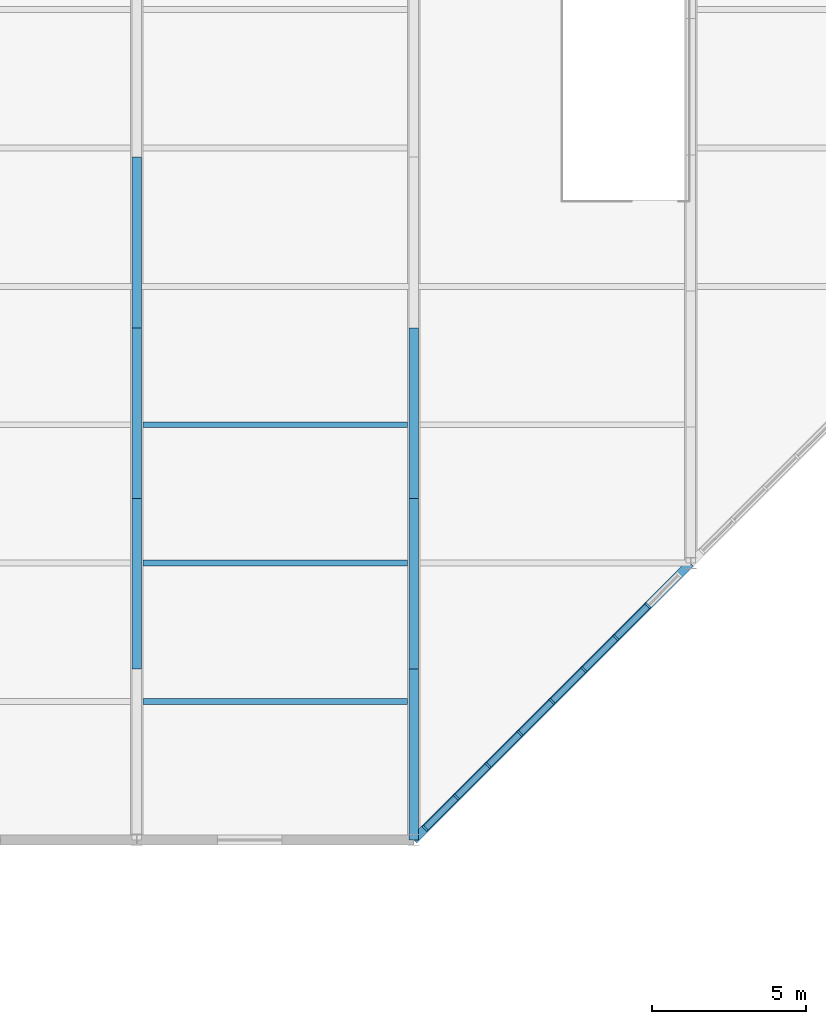
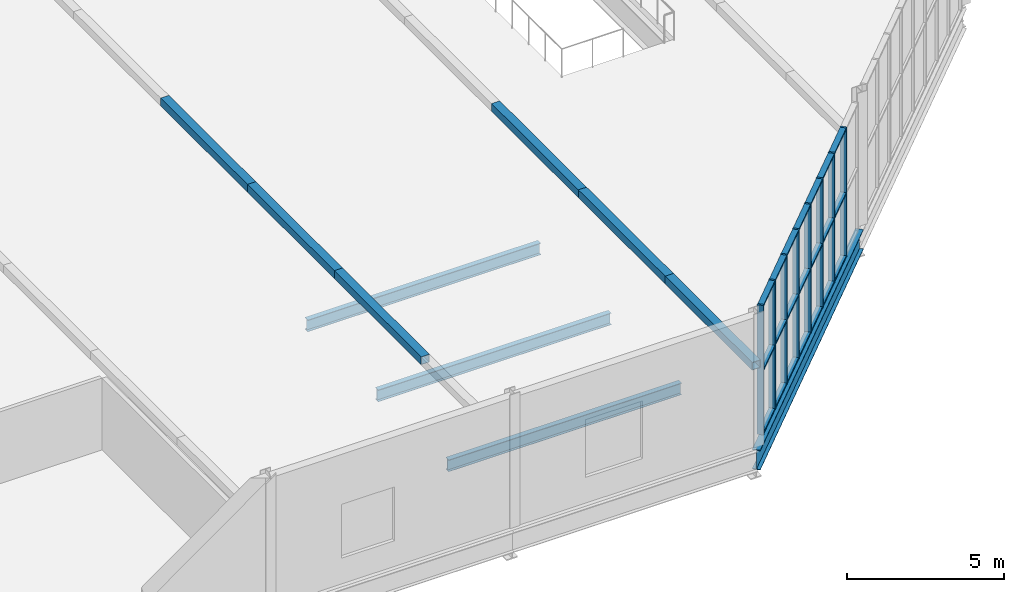
# One storey, part 24 of 134: 35 members, 4 beams, 1 element without a shape of its own.
"""IFC4 building model written with IfcOpenShell, lengths in metres."""

from ifc_helpers import new_model, si_unit, direction, frame, origin, origin_2d, place, context, subcontext, project, spatial, rectangle, hollow_rectangle, i_section, extrude, material, layer, layer_set, material_profile, profile_set, type_object, element, aggregate, save


model = new_model("IFC4")

# Units and contexts
model_context = context("Model", 3, precision=1e-05, world=origin(), true_north=direction((0.0, 1.0)))
body_context = subcontext(model_context, "Body", "Model", "MODEL_VIEW")
ifc_project = project(units=[si_unit("LENGTHUNIT", "METRE"), si_unit("AREAUNIT", "SQUARE_METRE"), si_unit("VOLUMEUNIT", "CUBIC_METRE"), si_unit("PLANEANGLEUNIT", "RADIAN"), si_unit("MASSUNIT", "GRAM", prefix="KILO")], contexts=[model_context])

# Site, building, storey
site_placement = place(None, origin())
site = spatial("IfcSite", under=ifc_project, at=site_placement, CompositionType="ELEMENT")
building_placement = place(site_placement, origin())
building = spatial("IfcBuilding", under=site, at=building_placement, Name="Cazmaro Siding Exhibition Halls", CompositionType="ELEMENT")
storey_placement = place(building_placement, frame((0.0, 0.0, 12.0)))
storey = spatial("IfcBuildingStorey", under=building, at=storey_placement, Name="L02", CompositionType="ELEMENT", Elevation=12.0)

# Beam
ifc_material_1 = material(Name="Steel ASTM A992 Grade 50", Category="steel")
ifc_material_profile_1 = material_profile(ifc_material_1, i_section(OverallWidth=0.26708984375, OverallDepth=0.779052734375, WebThickness=0.01708984375, FlangeThickness=0.02490234375, at=origin_2d()), Name="W30X148")
ifc_profile_set_1 = profile_set([ifc_material_profile_1], Name="Steel ASTM A992 Grade 50")
beam_type_1 = type_object("IfcBeamType", Name="B-05", PredefinedType="BEAM", material=ifc_profile_set_1)
beam_placement = place(storey_placement, frame((45.0, 9.0, -0.638916015625), z_axis=(0.707106781187, 0.707106781187, 0.0), x_axis=(-0.707106781187, 0.707106781187, 0.0)))
element("IfcBeam", 1, at=beam_placement, inside=storey, type_object=beam_type_1, Name="Beam B-05 BM-1738", PredefinedType="BEAM", context=body_context, shape_type="SweptSolid", body=[
    extrude(i_section(OverallWidth=0.26708984375, OverallDepth=0.779052734375, WebThickness=0.01708984375, FlangeThickness=0.02490234375, at=origin_2d()), origin(), (0.0, 0.0, 1.0), 12.72802734375),
])

# Curtain wall, members
ifc_material_2 = material(Name="Anodized Bronze Aluminum and Solar-Control Low-E Glazing", Category="aluminium")
ifc_layer = layer(ifc_material_2, 0.219970703125)
ifc_layer_set = layer_set([ifc_layer], Name="Anodized Bronze Aluminum and Solar-Control Low-E Glazing")
curtain_wall_type = type_object("IfcCurtainWallType", Name="CWS-03", PredefinedType="USERDEFINED", material=ifc_layer_set)
curtain_wall_placement = place(storey_placement, origin())
curtain_wall = element("IfcCurtainWall", 2, at=curtain_wall_placement, inside=storey, type_object=curtain_wall_type, Name="Glazed Curtain Wall CWS-03 CW-213", ObjectType="GLAZED CURTAIN WALL", PredefinedType="USERDEFINED")
ifc_material_3 = material(Name="Anodized Bronze Extruded Aluminum", Category="aluminium")
ifc_material_profile_2 = material_profile(ifc_material_3, rectangle(XDim=0.219970703125, YDim=0.070068359375, at=origin_2d()), Name="CWM-03")
ifc_profile_set_2 = profile_set([ifc_material_profile_2], Name="Anodized Bronze Extruded Aluminum")
member_type_1 = type_object("IfcMemberType", Name="CWM-03", PredefinedType="MULLION", material=ifc_profile_set_2)
member_1_placement = place(storey_placement, frame((45.374755859375, 9.374755859375, 0.0), z_axis=(0.0, 0.0, 1.0), x_axis=(-0.707106781187, 0.707106781187, 0.0)))
member_1 = element("IfcMember", 3, at=member_1_placement, type_object=member_type_1, Name="CWS-03 mullion 1", PredefinedType="MULLION", context=body_context, shape_type="SweptSolid", body=[
    extrude(rectangle(XDim=0.219970703125, YDim=0.070068359375, at=origin_2d()), origin(), (0.0, 0.0, 1.0), 5.050048828125),
])
member_2_placement = place(storey_placement, frame((46.387451171875, 10.387451171875, 0.0), z_axis=(0.0, 0.0, 1.0), x_axis=(-0.707106781187, 0.707106781187, 0.0)))
member_2 = element("IfcMember", 4, at=member_2_placement, type_object=member_type_1, Name="CWS-03 mullion 2", PredefinedType="MULLION", context=body_context, shape_type="SweptSolid", body=[
    extrude(rectangle(XDim=0.219970703125, YDim=0.070068359375, at=origin_2d()), origin(), (0.0, 0.0, 1.0), 5.050048828125),
])
member_3_placement = place(storey_placement, frame((47.425048828125, 11.425048828125, 0.0), z_axis=(0.0, 0.0, 1.0), x_axis=(-0.707106781187, 0.707106781187, 0.0)))
member_3 = element("IfcMember", 5, at=member_3_placement, type_object=member_type_1, Name="CWS-03 mullion 3", PredefinedType="MULLION", context=body_context, shape_type="SweptSolid", body=[
    extrude(rectangle(XDim=0.219970703125, YDim=0.070068359375, at=origin_2d()), origin(), (0.0, 0.0, 1.0), 5.050048828125),
])
member_4_placement = place(storey_placement, frame((48.46240234375, 12.46240234375, 0.0), z_axis=(0.0, 0.0, 1.0), x_axis=(-0.707106781187, 0.707106781187, 0.0)))
member_4 = element("IfcMember", 6, at=member_4_placement, type_object=member_type_1, Name="CWS-03 mullion 4", PredefinedType="MULLION", context=body_context, shape_type="SweptSolid", body=[
    extrude(rectangle(XDim=0.219970703125, YDim=0.070068359375, at=origin_2d()), origin(), (0.0, 0.0, 1.0), 5.050048828125),
])
member_5_placement = place(storey_placement, frame((49.5, 13.5, 0.0), z_axis=(0.0, 0.0, 1.0), x_axis=(-0.707106781187, 0.707106781187, 0.0)))
member_5 = element("IfcMember", 7, at=member_5_placement, type_object=member_type_1, Name="CWS-03 mullion 5", PredefinedType="MULLION", context=body_context, shape_type="SweptSolid", body=[
    extrude(rectangle(XDim=0.219970703125, YDim=0.070068359375, at=origin_2d()), origin(), (0.0, 0.0, 1.0), 5.050048828125),
])
member_6_placement = place(storey_placement, frame((50.53759765625, 14.53759765625, 0.0), z_axis=(0.0, 0.0, 1.0), x_axis=(-0.707106781187, 0.707106781187, 0.0)))
member_6 = element("IfcMember", 8, at=member_6_placement, type_object=member_type_1, Name="CWS-03 mullion 6", PredefinedType="MULLION", context=body_context, shape_type="SweptSolid", body=[
    extrude(rectangle(XDim=0.219970703125, YDim=0.070068359375, at=origin_2d()), origin(), (0.0, 0.0, 1.0), 5.050048828125),
])
member_7_placement = place(storey_placement, frame((51.574951171875, 15.574951171875, 0.0), z_axis=(0.0, 0.0, 1.0), x_axis=(-0.707106781187, 0.707106781187, 0.0)))
member_7 = element("IfcMember", 9, at=member_7_placement, type_object=member_type_1, Name="CWS-03 mullion 7", PredefinedType="MULLION", context=body_context, shape_type="SweptSolid", body=[
    extrude(rectangle(XDim=0.219970703125, YDim=0.070068359375, at=origin_2d()), origin(), (0.0, 0.0, 1.0), 5.050048828125),
])
member_8_placement = place(storey_placement, frame((52.612548828125, 16.612548828125, 0.0), z_axis=(0.0, 0.0, 1.0), x_axis=(-0.707106781187, 0.707106781187, 0.0)))
member_8 = element("IfcMember", 10, at=member_8_placement, type_object=member_type_1, Name="CWS-03 mullion 8", PredefinedType="MULLION", context=body_context, shape_type="SweptSolid", body=[
    extrude(rectangle(XDim=0.219970703125, YDim=0.070068359375, at=origin_2d()), origin(), (0.0, 0.0, 1.0), 5.050048828125),
])
ifc_material_4 = material(Name="Anodized Bronze Extruded Aluminum", Category="aluminium")
ifc_material_profile_3 = material_profile(ifc_material_4, rectangle(XDim=0.199951171875, YDim=0.070068359375, at=origin_2d()), Name="CWT-03")
ifc_profile_set_3 = profile_set([ifc_material_profile_3], Name="Anodized Bronze Extruded Aluminum")
member_type_2 = type_object("IfcMemberType", Name="CWT-03", PredefinedType="MULLION", material=ifc_profile_set_3)
member_9_placement = place(storey_placement, frame((45.3994140625, 9.3994140625, 0.034912109375), z_axis=(0.707106781187, 0.707106781187, 0.0), x_axis=(-0.707106781187, 0.707106781187, 0.0)))
member_9 = element("IfcMember", 11, at=member_9_placement, type_object=member_type_2, Name="CWS-03 transom 1.1", ObjectType="TRANSOM", PredefinedType="USERDEFINED", context=body_context, shape_type="SweptSolid", body=[
    extrude(rectangle(XDim=0.199951171875, YDim=0.070068359375, at=origin_2d()), origin(), (0.0, 0.0, 1.0), 1.3623046875),
])
member_10_placement = place(storey_placement, frame((45.3994140625, 9.3994140625, 2.5), z_axis=(0.707106781187, 0.707106781187, 0.0), x_axis=(-0.707106781187, 0.707106781187, 0.0)))
member_10 = element("IfcMember", 12, at=member_10_placement, type_object=member_type_2, Name="CWS-03 transom 1.2", ObjectType="TRANSOM", PredefinedType="USERDEFINED", context=body_context, shape_type="SweptSolid", body=[
    extrude(rectangle(XDim=0.199951171875, YDim=0.070068359375, at=origin_2d()), origin(), (0.0, 0.0, 1.0), 1.3623046875),
])
member_11_placement = place(storey_placement, frame((45.3994140625, 9.3994140625, 5.014892578125), z_axis=(0.707106781187, 0.707106781187, 0.0), x_axis=(-0.707106781187, 0.707106781187, 0.0)))
member_11 = element("IfcMember", 13, at=member_11_placement, type_object=member_type_2, Name="CWS-03 transom 1.3", ObjectType="TRANSOM", PredefinedType="USERDEFINED", context=body_context, shape_type="SweptSolid", body=[
    extrude(rectangle(XDim=0.199951171875, YDim=0.070068359375, at=origin_2d()), origin(), (0.0, 0.0, 1.0), 1.3623046875),
])
member_12_placement = place(storey_placement, frame((46.412353515625, 10.412353515625, 0.034912109375), z_axis=(0.707106781187, 0.707106781187, 0.0), x_axis=(-0.707106781187, 0.707106781187, 0.0)))
member_12 = element("IfcMember", 14, at=member_12_placement, type_object=member_type_2, Name="CWS-03 transom 2.1", ObjectType="TRANSOM", PredefinedType="USERDEFINED", context=body_context, shape_type="SweptSolid", body=[
    extrude(rectangle(XDim=0.199951171875, YDim=0.070068359375, at=origin_2d()), origin(), (0.0, 0.0, 1.0), 1.39697265625),
])
member_13_placement = place(storey_placement, frame((46.412353515625, 10.412353515625, 2.5), z_axis=(0.707106781187, 0.707106781187, 0.0), x_axis=(-0.707106781187, 0.707106781187, 0.0)))
member_13 = element("IfcMember", 15, at=member_13_placement, type_object=member_type_2, Name="CWS-03 transom 2.2", ObjectType="TRANSOM", PredefinedType="USERDEFINED", context=body_context, shape_type="SweptSolid", body=[
    extrude(rectangle(XDim=0.199951171875, YDim=0.070068359375, at=origin_2d()), origin(), (0.0, 0.0, 1.0), 1.39697265625),
])
member_14_placement = place(storey_placement, frame((46.412353515625, 10.412353515625, 5.014892578125), z_axis=(0.707106781187, 0.707106781187, 0.0), x_axis=(-0.707106781187, 0.707106781187, 0.0)))
member_14 = element("IfcMember", 16, at=member_14_placement, type_object=member_type_2, Name="CWS-03 transom 2.3", ObjectType="TRANSOM", PredefinedType="USERDEFINED", context=body_context, shape_type="SweptSolid", body=[
    extrude(rectangle(XDim=0.199951171875, YDim=0.070068359375, at=origin_2d()), origin(), (0.0, 0.0, 1.0), 1.39697265625),
])
member_15_placement = place(storey_placement, frame((47.44970703125, 11.44970703125, 0.034912109375), z_axis=(0.707106781187, 0.707106781187, 0.0), x_axis=(-0.707106781187, 0.707106781187, 0.0)))
member_15 = element("IfcMember", 17, at=member_15_placement, type_object=member_type_2, Name="CWS-03 transom 3.1", ObjectType="TRANSOM", PredefinedType="USERDEFINED", context=body_context, shape_type="SweptSolid", body=[
    extrude(rectangle(XDim=0.199951171875, YDim=0.070068359375, at=origin_2d()), origin(), (0.0, 0.0, 1.0), 1.397216796875),
])
member_16_placement = place(storey_placement, frame((47.44970703125, 11.44970703125, 2.5), z_axis=(0.707106781187, 0.707106781187, 0.0), x_axis=(-0.707106781187, 0.707106781187, 0.0)))
member_16 = element("IfcMember", 18, at=member_16_placement, type_object=member_type_2, Name="CWS-03 transom 3.2", ObjectType="TRANSOM", PredefinedType="USERDEFINED", context=body_context, shape_type="SweptSolid", body=[
    extrude(rectangle(XDim=0.199951171875, YDim=0.070068359375, at=origin_2d()), origin(), (0.0, 0.0, 1.0), 1.397216796875),
])
member_17_placement = place(storey_placement, frame((47.44970703125, 11.44970703125, 5.014892578125), z_axis=(0.707106781187, 0.707106781187, 0.0), x_axis=(-0.707106781187, 0.707106781187, 0.0)))
member_17 = element("IfcMember", 19, at=member_17_placement, type_object=member_type_2, Name="CWS-03 transom 3.3", ObjectType="TRANSOM", PredefinedType="USERDEFINED", context=body_context, shape_type="SweptSolid", body=[
    extrude(rectangle(XDim=0.199951171875, YDim=0.070068359375, at=origin_2d()), origin(), (0.0, 0.0, 1.0), 1.397216796875),
])
member_18_placement = place(storey_placement, frame((48.4873046875, 12.4873046875, 0.034912109375), z_axis=(0.707106781187, 0.707106781187, 0.0), x_axis=(-0.707106781187, 0.707106781187, 0.0)))
member_18 = element("IfcMember", 20, at=member_18_placement, type_object=member_type_2, Name="CWS-03 transom 4.1", ObjectType="TRANSOM", PredefinedType="USERDEFINED", context=body_context, shape_type="SweptSolid", body=[
    extrude(rectangle(XDim=0.199951171875, YDim=0.070068359375, at=origin_2d()), origin(), (0.0, 0.0, 1.0), 1.397216796875),
])
member_19_placement = place(storey_placement, frame((48.4873046875, 12.4873046875, 2.5), z_axis=(0.707106781187, 0.707106781187, 0.0), x_axis=(-0.707106781187, 0.707106781187, 0.0)))
member_19 = element("IfcMember", 21, at=member_19_placement, type_object=member_type_2, Name="CWS-03 transom 4.2", ObjectType="TRANSOM", PredefinedType="USERDEFINED", context=body_context, shape_type="SweptSolid", body=[
    extrude(rectangle(XDim=0.199951171875, YDim=0.070068359375, at=origin_2d()), origin(), (0.0, 0.0, 1.0), 1.397216796875),
])
member_20_placement = place(storey_placement, frame((48.4873046875, 12.4873046875, 5.014892578125), z_axis=(0.707106781187, 0.707106781187, 0.0), x_axis=(-0.707106781187, 0.707106781187, 0.0)))
member_20 = element("IfcMember", 22, at=member_20_placement, type_object=member_type_2, Name="CWS-03 transom 4.3", ObjectType="TRANSOM", PredefinedType="USERDEFINED", context=body_context, shape_type="SweptSolid", body=[
    extrude(rectangle(XDim=0.199951171875, YDim=0.070068359375, at=origin_2d()), origin(), (0.0, 0.0, 1.0), 1.397216796875),
])
member_21_placement = place(storey_placement, frame((49.524658203125, 13.524658203125, 0.034912109375), z_axis=(0.707106781187, 0.707106781187, 0.0), x_axis=(-0.707106781187, 0.707106781187, 0.0)))
member_21 = element("IfcMember", 23, at=member_21_placement, type_object=member_type_2, Name="CWS-03 transom 5.1", ObjectType="TRANSOM", PredefinedType="USERDEFINED", context=body_context, shape_type="SweptSolid", body=[
    extrude(rectangle(XDim=0.199951171875, YDim=0.070068359375, at=origin_2d()), origin(), (0.0, 0.0, 1.0), 1.397216796875),
])
member_22_placement = place(storey_placement, frame((49.524658203125, 13.524658203125, 2.5), z_axis=(0.707106781187, 0.707106781187, 0.0), x_axis=(-0.707106781187, 0.707106781187, 0.0)))
member_22 = element("IfcMember", 24, at=member_22_placement, type_object=member_type_2, Name="CWS-03 transom 5.2", ObjectType="TRANSOM", PredefinedType="USERDEFINED", context=body_context, shape_type="SweptSolid", body=[
    extrude(rectangle(XDim=0.199951171875, YDim=0.070068359375, at=origin_2d()), origin(), (0.0, 0.0, 1.0), 1.397216796875),
])
member_23_placement = place(storey_placement, frame((49.524658203125, 13.524658203125, 5.014892578125), z_axis=(0.707106781187, 0.707106781187, 0.0), x_axis=(-0.707106781187, 0.707106781187, 0.0)))
member_23 = element("IfcMember", 25, at=member_23_placement, type_object=member_type_2, Name="CWS-03 transom 5.3", ObjectType="TRANSOM", PredefinedType="USERDEFINED", context=body_context, shape_type="SweptSolid", body=[
    extrude(rectangle(XDim=0.199951171875, YDim=0.070068359375, at=origin_2d()), origin(), (0.0, 0.0, 1.0), 1.397216796875),
])
member_24_placement = place(storey_placement, frame((50.562255859375, 14.562255859375, 0.034912109375), z_axis=(0.707106781187, 0.707106781187, 0.0), x_axis=(-0.707106781187, 0.707106781187, 0.0)))
member_24 = element("IfcMember", 26, at=member_24_placement, type_object=member_type_2, Name="CWS-03 transom 6.1", ObjectType="TRANSOM", PredefinedType="USERDEFINED", context=body_context, shape_type="SweptSolid", body=[
    extrude(rectangle(XDim=0.199951171875, YDim=0.070068359375, at=origin_2d()), origin(), (0.0, 0.0, 1.0), 1.397216796875),
])
member_25_placement = place(storey_placement, frame((50.562255859375, 14.562255859375, 2.5), z_axis=(0.707106781187, 0.707106781187, 0.0), x_axis=(-0.707106781187, 0.707106781187, 0.0)))
member_25 = element("IfcMember", 27, at=member_25_placement, type_object=member_type_2, Name="CWS-03 transom 6.2", ObjectType="TRANSOM", PredefinedType="USERDEFINED", context=body_context, shape_type="SweptSolid", body=[
    extrude(rectangle(XDim=0.199951171875, YDim=0.070068359375, at=origin_2d()), origin(), (0.0, 0.0, 1.0), 1.397216796875),
])
member_26_placement = place(storey_placement, frame((50.562255859375, 14.562255859375, 5.014892578125), z_axis=(0.707106781187, 0.707106781187, 0.0), x_axis=(-0.707106781187, 0.707106781187, 0.0)))
member_26 = element("IfcMember", 28, at=member_26_placement, type_object=member_type_2, Name="CWS-03 transom 6.3", ObjectType="TRANSOM", PredefinedType="USERDEFINED", context=body_context, shape_type="SweptSolid", body=[
    extrude(rectangle(XDim=0.199951171875, YDim=0.070068359375, at=origin_2d()), origin(), (0.0, 0.0, 1.0), 1.397216796875),
])
member_27_placement = place(storey_placement, frame((51.599853515625, 15.599853515625, 0.034912109375), z_axis=(0.707106781187, 0.707106781187, 0.0), x_axis=(-0.707106781187, 0.707106781187, 0.0)))
member_27 = element("IfcMember", 29, at=member_27_placement, type_object=member_type_2, Name="CWS-03 transom 7.1", ObjectType="TRANSOM", PredefinedType="USERDEFINED", context=body_context, shape_type="SweptSolid", body=[
    extrude(rectangle(XDim=0.199951171875, YDim=0.070068359375, at=origin_2d()), origin(), (0.0, 0.0, 1.0), 1.39697265625),
])
member_28_placement = place(storey_placement, frame((51.599853515625, 15.599853515625, 2.5), z_axis=(0.707106781187, 0.707106781187, 0.0), x_axis=(-0.707106781187, 0.707106781187, 0.0)))
member_28 = element("IfcMember", 30, at=member_28_placement, type_object=member_type_2, Name="CWS-03 transom 7.2", ObjectType="TRANSOM", PredefinedType="USERDEFINED", context=body_context, shape_type="SweptSolid", body=[
    extrude(rectangle(XDim=0.199951171875, YDim=0.070068359375, at=origin_2d()), origin(), (0.0, 0.0, 1.0), 1.39697265625),
])
member_29_placement = place(storey_placement, frame((51.599853515625, 15.599853515625, 5.014892578125), z_axis=(0.707106781187, 0.707106781187, 0.0), x_axis=(-0.707106781187, 0.707106781187, 0.0)))
member_29 = element("IfcMember", 31, at=member_29_placement, type_object=member_type_2, Name="CWS-03 transom 7.3", ObjectType="TRANSOM", PredefinedType="USERDEFINED", context=body_context, shape_type="SweptSolid", body=[
    extrude(rectangle(XDim=0.199951171875, YDim=0.070068359375, at=origin_2d()), origin(), (0.0, 0.0, 1.0), 1.39697265625),
])
aggregate(curtain_wall, [member_1, member_2, member_3, member_4, member_5, member_6, member_7, member_8, member_9, member_10, member_11, member_12, member_13, member_14, member_15, member_16, member_17, member_18, member_19, member_20, member_21, member_22, member_23, member_24, member_25, member_26, member_27, member_28, member_29])

# Beams
ifc_material_5 = material(Name="Steel ASTM A992 Grade 50", Category="steel")
ifc_material_profile_4 = material_profile(ifc_material_5, i_section(OverallWidth=0.19091796875, OverallDepth=0.45703125, WebThickness=0.009033203125, FlangeThickness=0.013916015625, at=origin_2d()), Name="W18X50")
ifc_profile_set_4 = profile_set([ifc_material_profile_4], Name="Steel ASTM A992 Grade 50")
beam_type_2 = type_object("IfcBeamType", Name="J-01", PredefinedType="JOIST", material=ifc_profile_set_4)
for number, where, z_axis, x_axis, name in (
    (32, (36.201904296875, 13.5, -0.47900390625), (1.0, 0.0, 0.0), (0.0, 1.0, 0.0), "Beam J-01 BM-1825"),
    (33, (36.201904296875, 18.0, -0.47900390625), (1.0, 0.0, 0.0), (0.0, 1.0, 0.0), "Beam J-01 BM-1830"),
    (34, (36.201904296875, 22.5, -0.47900390625), (1.0, 0.0, 0.0), (0.0, 1.0, 0.0), "Beam J-01 BM-1836"),
):
    element("IfcBeam", number, at=place(storey_placement, frame(where, z_axis=z_axis, x_axis=x_axis)), inside=storey, type_object=beam_type_2, Name=name, PredefinedType="JOIST", context=body_context, shape_type="SweptSolid", body=[
        extrude(i_section(OverallWidth=0.19091796875, OverallDepth=0.45703125, WebThickness=0.009033203125, FlangeThickness=0.013916015625, at=origin_2d()), origin(), (0.0, 0.0, 1.0), 8.59619140625),
    ])

# Members
ifc_material_6 = material(Name="Steel ASTM A500 Grade C", Category="steel")
ifc_material_profile_5 = material_profile(ifc_material_6, hollow_rectangle(XDim=0.304931640625, YDim=0.304931640625, WallThickness=0.014892578125, at=origin_2d()), Name="HSS12X12X5/8")
ifc_profile_set_5 = profile_set([ifc_material_profile_5], Name="Steel ASTM A500 Grade C")
member_type_3 = type_object("IfcMemberType", Name="TC-02", PredefinedType="CHORD", material=ifc_profile_set_5)
member_30_placement = place(storey_placement, frame((36.0, 14.550048828125, 3.050048828125), z_axis=(0.0, 1.0, 0.0), x_axis=(-1.0, 0.0, 0.0)))
element("IfcMember", 35, at=member_30_placement, inside=storey, type_object=member_type_3, Name="Congress folded roof bottom chord TC-02 MEM-3341", PredefinedType="CHORD", context=body_context, shape_type="SweptSolid", body=[
    extrude(hollow_rectangle(XDim=0.304931640625, YDim=0.304931640625, WallThickness=0.014892578125, at=origin_2d()), origin(), (0.0, 0.0, 1.0), 5.550048828125),
])
member_31_placement = place(storey_placement, frame((36.0, 20.10009765625, 3.050048828125), z_axis=(0.0, 1.0, 0.0), x_axis=(-1.0, 0.0, 0.0)))
element("IfcMember", 36, at=member_31_placement, inside=storey, type_object=member_type_3, Name="Congress folded roof bottom chord TC-02 MEM-3344", PredefinedType="CHORD", context=body_context, shape_type="SweptSolid", body=[
    extrude(hollow_rectangle(XDim=0.304931640625, YDim=0.304931640625, WallThickness=0.014892578125, at=origin_2d()), origin(), (0.0, 0.0, 1.0), 5.5498046875),
])
for number, where, z_axis, x_axis, name in (
    (37, (36.0, 25.64990234375, 3.050048828125), (0.0, 1.0, 0.0), (-1.0, 0.0, 0.0), "Congress folded roof bottom chord TC-02 MEM-3347"),
    (38, (45.0, 9.0, 3.050048828125), (0.0, 1.0, 0.0), (-1.0, 0.0, 0.0), "Congress folded roof bottom chord TC-02 MEM-3369"),
    (39, (45.0, 14.550048828125, 3.050048828125), (0.0, 1.0, 0.0), (-1.0, 0.0, 0.0), "Congress folded roof bottom chord TC-02 MEM-3372"),
):
    element("IfcMember", number, at=place(storey_placement, frame(where, z_axis=z_axis, x_axis=x_axis)), inside=storey, type_object=member_type_3, Name=name, PredefinedType="CHORD", context=body_context, shape_type="SweptSolid", body=[
        extrude(hollow_rectangle(XDim=0.304931640625, YDim=0.304931640625, WallThickness=0.014892578125, at=origin_2d()), origin(), (0.0, 0.0, 1.0), 5.550048828125),
    ])
member_32_placement = place(storey_placement, frame((45.0, 20.10009765625, 3.050048828125), z_axis=(0.0, 1.0, 0.0), x_axis=(-1.0, 0.0, 0.0)))
element("IfcMember", 40, at=member_32_placement, inside=storey, type_object=member_type_3, Name="Congress folded roof bottom chord TC-02 MEM-3375", PredefinedType="CHORD", context=body_context, shape_type="SweptSolid", body=[
    extrude(hollow_rectangle(XDim=0.304931640625, YDim=0.304931640625, WallThickness=0.014892578125, at=origin_2d()), origin(), (0.0, 0.0, 1.0), 5.5498046875),
])

save(model, "model.ifc")
